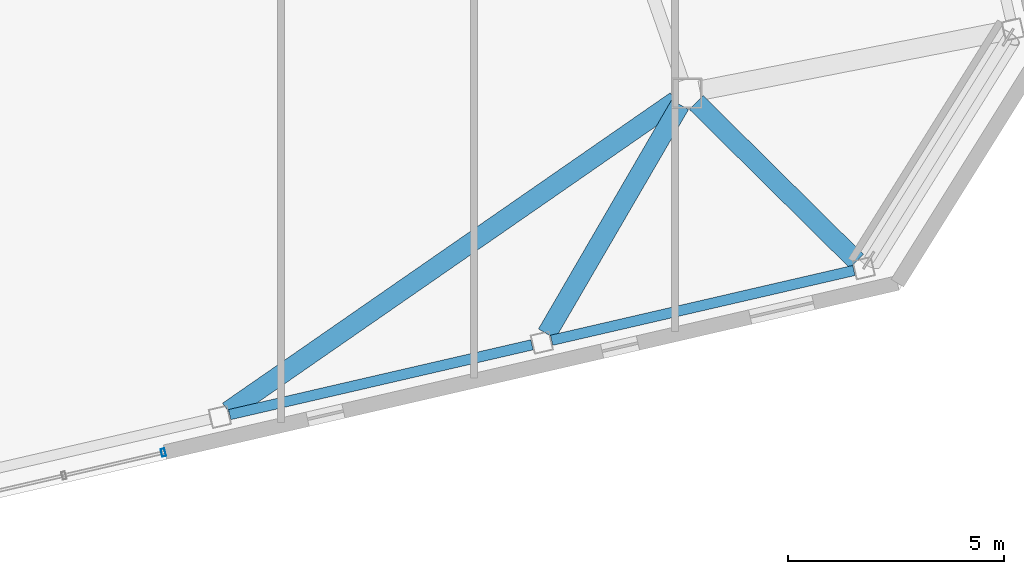
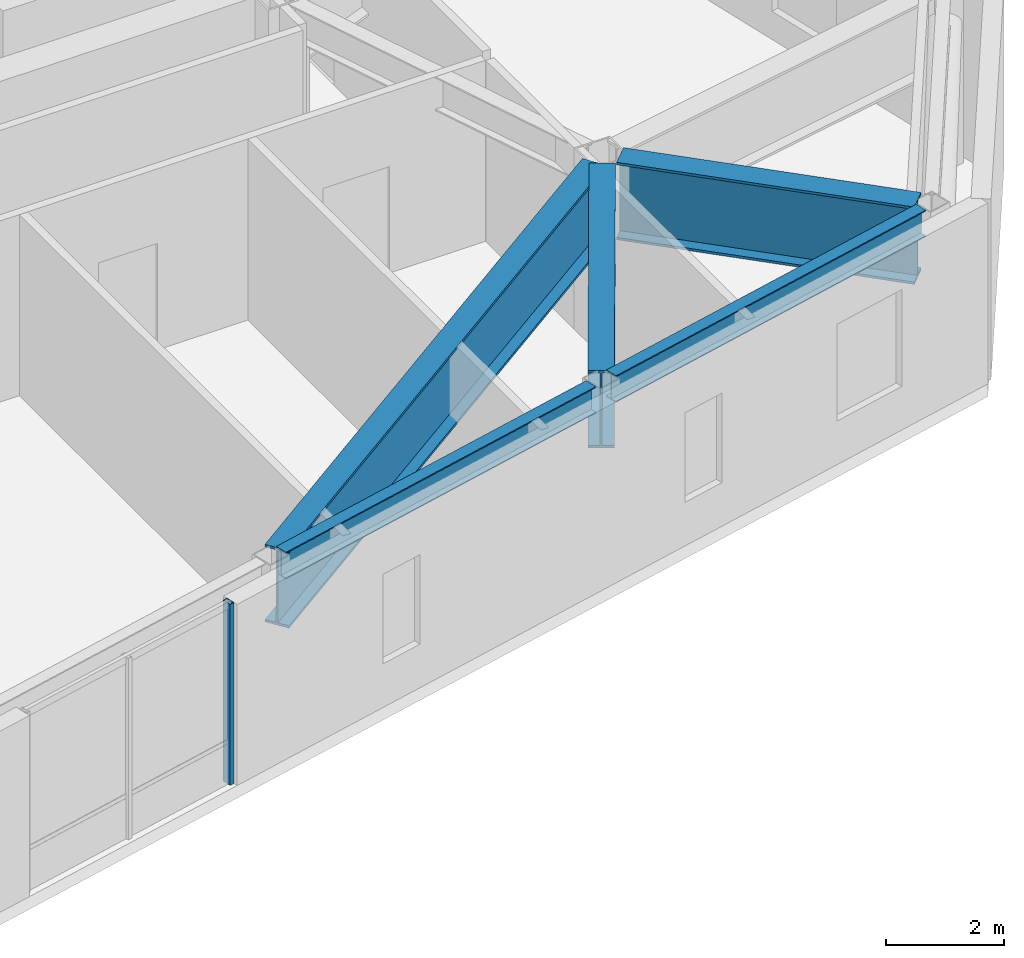
# One storey, part 10 of 23: 5 beams, 1 member, 1 element without a shape of its own.
"""IFC4 building model written with IfcOpenShell, lengths in metres."""

import ifcopenshell
import ifcopenshell.guid

model = None  # the IFC model being written
_history = None  # IfcOwnerHistory: only IFC2X3 demands one
_inside = {}  # id of a spatial element -> (the spatial element, [elements in it])
_under = {}  # id of a project, library or spatial element -> (it, [spatial elements below it])
_declared = {}  # id of a project -> (the project, [libraries it declares])
_typed = {}  # id of a type object -> (the type object, [elements of that type])
_made_of = {}  # id of a material, layer set ... -> (it, [elements and type objects made of it])


def new_model(schema):
    """Start an empty IFC model of exactly this schema.

    Asked for "IFC4X3", IfcOpenShell would pick the latest addendum, in which some entities
    have other attributes; the version numbers below select the first issue.
    IFC2X3 requires an IfcOwnerHistory on every rooted entity: one is made here for all.
    """
    global model, _history
    if schema == "IFC4X3":
        model = ifcopenshell.file(schema_version=(4, 3, 0, 0))
    else:
        model = ifcopenshell.file(schema=schema)
    _inside.clear()
    _under.clear()
    _declared.clear()
    _typed.clear()
    _made_of.clear()
    _history = None
    if model.schema == "IFC2X3":
        org = make("IfcOrganization", Name="unknown")
        user = make(
            "IfcPersonAndOrganization",
            ThePerson=make("IfcPerson", FamilyName="unknown"),
            TheOrganization=org,
        )
        app = make(
            "IfcApplication",
            ApplicationDeveloper=org,
            Version="unknown",
            ApplicationFullName="unknown",
            ApplicationIdentifier="unknown",
        )
        _history = make(
            "IfcOwnerHistory",
            OwningUser=user,
            OwningApplication=app,
            ChangeAction="ADDED",
            CreationDate=0,
        )
    return model


def make(cls, **values):
    """One entity of the class cls with the attributes given. An attribute that is None is left unset."""
    return model.create_entity(
        cls, **{name: value for name, value in values.items() if value is not None}
    )


def rooted(cls, **values):
    """An entity with a GlobalId (a new one), such as an element, a storey or a relation."""
    return make(cls, GlobalId=ifcopenshell.guid.new(), OwnerHistory=_history, **values)


def si_unit(unit_type, name, prefix=None):
    """IfcSIUnit, for example si_unit("LENGTHUNIT", "METRE", prefix="MILLI")."""
    return make("IfcSIUnit", UnitType=unit_type, Prefix=prefix, Name=name)


def assignment(units):
    """IfcUnitAssignment: the units of a project."""
    return None if units is None else make("IfcUnitAssignment", Units=units)


def point(xyz):
    """IfcCartesianPoint."""
    return None if xyz is None else make("IfcCartesianPoint", Coordinates=xyz)


def direction(xyz):
    """IfcDirection."""
    return None if xyz is None else make("IfcDirection", DirectionRatios=xyz)


def frame(location, z_axis=None, x_axis=None):
    """IfcAxis2Placement3D, a coordinate frame: its origin and axes. An axis left out is left unset."""
    return make(
        "IfcAxis2Placement3D",
        Location=point(location),
        Axis=direction(z_axis),
        RefDirection=direction(x_axis),
    )


def frame_2d(location, x_axis=None):
    """IfcAxis2Placement2D, a coordinate frame in the plane: its origin and x axis."""
    return make(
        "IfcAxis2Placement2D", Location=point(location), RefDirection=direction(x_axis)
    )


def origin():
    """The frame at (0, 0, 0) with its axes left unset."""
    return frame((0.0, 0.0, 0.0))


def origin_2d():
    """The frame at (0, 0) in the plane with its x axis left unset."""
    return frame_2d((0.0, 0.0))


def place(relative_to, where):
    """IfcLocalPlacement: puts the frame where relative to a parent placement (None: the world)."""
    return make(
        "IfcLocalPlacement", PlacementRelTo=relative_to, RelativePlacement=where
    )


def context(
    kind, dimensions, precision=None, world=None, true_north=None, identifier=None
):
    """IfcGeometricRepresentationContext, for example the 3D "Model" context."""
    return make(
        "IfcGeometricRepresentationContext",
        ContextIdentifier=identifier,
        ContextType=kind,
        CoordinateSpaceDimension=dimensions,
        Precision=precision,
        WorldCoordinateSystem=world,
        TrueNorth=true_north,
    )


def subcontext(parent, identifier, kind, view, scale=None):
    """IfcGeometricRepresentationSubContext, for example "Body" below "Model"."""
    return make(
        "IfcGeometricRepresentationSubContext",
        ContextIdentifier=identifier,
        ContextType=kind,
        ParentContext=parent,
        TargetScale=scale,
        TargetView=view,
    )


def project(units=None, contexts=None):
    """IfcProject with its units and contexts."""
    return rooted(
        "IfcProject",
        Name="project",
        RepresentationContexts=contexts,
        UnitsInContext=assignment(units),
    )


def spatial(cls, under=None, at=None, **own):
    """A site, building, storey or space (cls), placed at a placement, below another one or the project."""
    s = rooted(cls, ObjectPlacement=at, **own)
    if under is not None:
        _under.setdefault(under.id(), (under, []))[1].append(s)
    return s


def profile(cls, at=None, kind="AREA", **sizes):
    """A parametric profile (cls). Its sizes go by their IFC names, for example OverallWidth=200.0."""
    return make(cls, ProfileType=kind, Position=at, **sizes)


def hollow_rectangle(**sizes):
    """IfcRectangleHollowProfileDef."""
    return profile("IfcRectangleHollowProfileDef", **sizes)


def i_section(**sizes):
    """IfcIShapeProfileDef."""
    return profile("IfcIShapeProfileDef", **sizes)


def extrude(swept, where, along, depth):
    """IfcExtrudedAreaSolid: the profile swept, set in the frame where, extruded along a direction by depth."""
    return make(
        "IfcExtrudedAreaSolid",
        SweptArea=swept,
        Position=where,
        ExtrudedDirection=direction(along),
        Depth=depth,
    )


def shape(context_of_items, identifier, shape_type, items):
    """IfcShapeRepresentation: the items that make up one representation, for example the "Body"."""
    return make(
        "IfcShapeRepresentation",
        ContextOfItems=context_of_items,
        RepresentationIdentifier=identifier,
        RepresentationType=shape_type,
        Items=items,
    )


def material(Name=None, Category=None):
    """IfcMaterial."""
    return make("IfcMaterial", Name=Name, Category=Category)


def layer(
    of_material, thickness, ventilated=None, Name=None, Category=None, Priority=None
):
    """IfcMaterialLayer: one layer of a wall or slab, of a material (None: an air gap)."""
    return make(
        "IfcMaterialLayer",
        Material=of_material,
        LayerThickness=thickness,
        IsVentilated=ventilated,
        Name=Name,
        Category=Category,
        Priority=Priority,
    )


def layer_set(layers, Name=None):
    """IfcMaterialLayerSet."""
    return make("IfcMaterialLayerSet", MaterialLayers=layers, LayerSetName=Name)


def material_profile(
    of_material, cross_section, Name=None, Category=None, Priority=None
):
    """IfcMaterialProfile: a cross section and its material."""
    return make(
        "IfcMaterialProfile",
        Name=Name,
        Material=of_material,
        Profile=cross_section,
        Priority=Priority,
        Category=Category,
    )


def profile_set(profiles, Name=None, composite=None):
    """IfcMaterialProfileSet."""
    return make(
        "IfcMaterialProfileSet",
        Name=Name,
        MaterialProfiles=profiles,
        CompositeProfile=composite,
    )


def made_of(thing, what):
    """Note that an element or type object is made of a material, layer set ...; save() writes the relation."""
    if what is not None:
        _made_of.setdefault(what.id(), (what, []))[1].append(thing)
    return thing


def type_object(cls, material=None, **own):
    """A type object (cls), such as IfcWallType, which elements share."""
    return made_of(rooted(cls, **own), material)


def element(
    cls,
    number,
    at=None,
    inside=None,
    cuts=None,
    type_object=None,
    material=None,
    context=None,
    identifier="Body",
    shape_type=None,
    held_by="IfcProductDefinitionShape",
    body=None,
    shapes=None,
    **own,
):
    """One element of the class cls, such as IfcWall. Its Tag is "e" and its number.

    at: its placement. inside: the storey or other place that contains it. cuts: it is an
    opening in that element (IfcRelVoidsElement). A single representation is given by context,
    identifier, shape_type and body (its items); several are given by shapes. held_by: the class
    of the entity that holds the representations. save() writes the other relations.
    """
    e = rooted(cls, Tag="e%d" % number, ObjectPlacement=at, **own)
    if body is not None:
        shapes = [shape(context, identifier, shape_type, body)]
    if shapes is not None:
        e.Representation = make(held_by, Representations=shapes)
    if inside is not None:
        _inside.setdefault(inside.id(), (inside, []))[1].append(e)
    if cuts is not None:
        rooted(
            "IfcRelVoidsElement", RelatingBuildingElement=cuts, RelatedOpeningElement=e
        )
    if type_object is not None:
        _typed.setdefault(type_object.id(), (type_object, []))[1].append(e)
    return made_of(e, material)


def aggregate(whole, parts):
    """IfcRelAggregates: a whole, such as a stair, and the parts it consists of."""
    return rooted("IfcRelAggregates", RelatingObject=whole, RelatedObjects=parts)


def save(model, path):
    """Write the relations noted so far, then the file.

    IfcRelAggregates (storeys below a building ...), IfcRelContainedInSpatialStructure (elements
    in a storey), IfcRelDefinesByType, IfcRelAssociatesMaterial and IfcRelDeclares: one each for
    every whole, place, type object, material and project.
    """
    for whole, parts in _under.values():
        aggregate(whole, parts)
    for where, things in _inside.values():
        rooted(
            "IfcRelContainedInSpatialStructure",
            RelatedElements=things,
            RelatingStructure=where,
        )
    for kind, things in _typed.values():
        rooted("IfcRelDefinesByType", RelatedObjects=things, RelatingType=kind)
    for what, things in _made_of.values():
        rooted("IfcRelAssociatesMaterial", RelatedObjects=things, RelatingMaterial=what)
    for by, libraries in _declared.values():
        rooted("IfcRelDeclares", RelatingContext=by, RelatedDefinitions=libraries)
    model.write(path)


model = new_model("IFC4")

# Units and contexts
model_context = context("Model", 3, precision=1e-05, world=origin(), true_north=direction((0.0, 1.0)))
body_context = subcontext(model_context, "Body", "Model", "MODEL_VIEW")
ifc_project = project(units=[si_unit("LENGTHUNIT", "METRE"), si_unit("AREAUNIT", "SQUARE_METRE"), si_unit("VOLUMEUNIT", "CUBIC_METRE"), si_unit("PLANEANGLEUNIT", "RADIAN"), si_unit("MASSUNIT", "GRAM", prefix="KILO")], contexts=[model_context])

# Site, building, storey
site_placement = place(None, origin())
site = spatial("IfcSite", under=ifc_project, at=site_placement, CompositionType="ELEMENT")
building_placement = place(site_placement, origin())
building = spatial("IfcBuilding", under=site, at=building_placement, Name="Tavrogorsk Clinical Tower", CompositionType="ELEMENT")
storey_placement = place(building_placement, frame((0.0, 0.0, 277.0)))
storey = spatial("IfcBuildingStorey", under=building, at=storey_placement, Name="L64", CompositionType="ELEMENT", Elevation=277.0)

# Curtain wall, member
ifc_material_1 = material(Name="Anodised aluminium and triple IGU glazing", Category="aluminium")
ifc_layer = layer(ifc_material_1, 0.179931640625)
ifc_layer_set = layer_set([ifc_layer], Name="Anodised aluminium and triple IGU glazing")
curtain_wall_type = type_object("IfcCurtainWallType", Name="CW3_SouthSlot", PredefinedType="NOTDEFINED", material=ifc_layer_set)
curtain_wall_placement = place(storey_placement, origin())
curtain_wall = element("IfcCurtainWall", 1, at=curtain_wall_placement, inside=storey, type_object=curtain_wall_type, Name="L64 Curtain Wall CW-L64-S-SLOT-2", PredefinedType="NOTDEFINED")
ifc_material_2 = material(Name="Anodised aluminium alloy AW-6060", Category="aluminium")
ifc_material_profile_1 = material_profile(ifc_material_2, hollow_rectangle(XDim=0.090087890625, YDim=0.179931640625, WallThickness=0.00634765625, at=origin_2d()), Name="RHS-180x90x6.3")
ifc_profile_set_1 = profile_set([ifc_material_profile_1], Name="Anodised aluminium alloy AW-6060")
member_type = type_object("IfcMemberType", Name="CwMullion_180x90", PredefinedType="MULLION", material=ifc_profile_set_1)
member_placement = place(storey_placement, frame((12.4052734375, -21.504638671875, 0.0), z_axis=(0.0, 0.0, 1.0), x_axis=(0.974370057377, 0.224951086434, 0.0)))
member = element("IfcMember", 2, at=member_placement, type_object=member_type, Name="CW-L64-S-SLOT-2 Mullion 3", PredefinedType="MULLION", context=body_context, shape_type="SweptSolid", body=[
    extrude(hollow_rectangle(XDim=0.090087890625, YDim=0.179931640625, WallThickness=0.00634765625, at=origin_2d()), origin(), (0.0, 0.0, 1.0), 3.739990234375),
])
aggregate(curtain_wall, [member])

# Beams
ifc_material_3 = material(Name="Structural steel S390", Category="steel")
ifc_material_profile_2 = material_profile(ifc_material_3, i_section(OverallWidth=0.239990234375, OverallDepth=0.550048828125, WebThickness=0.013916015625, FlangeThickness=0.02197265625, at=origin_2d()), Name="B-550x240x14x22")
ifc_profile_set_2 = profile_set([ifc_material_profile_2], Name="Structural steel S390")
beam_type_1 = type_object("IfcBeamType", Name="SpandrelBeam_B550", PredefinedType="SPANDREL", material=ifc_profile_set_2)
for number, where, z_axis, x_axis, name in (
    (3, (13.938232421875, -20.627197265625, 3.465087890625), (0.974369378592, 0.224954026551, 0.0), (-0.224954026551, 0.974369378592, 0.0), "L64 Perimeter Spandrel S6-S7"),
    (4, (21.376953125, -18.909912109375, 3.465087890625), (0.974369378592, 0.224954026551, 0.0), (-0.224954026551, 0.974369378592, 0.0), "L64 Perimeter Spandrel S7-S8"),
):
    element("IfcBeam", number, at=place(storey_placement, frame(where, z_axis=z_axis, x_axis=x_axis)), inside=storey, type_object=beam_type_1, Name=name, PredefinedType="SPANDREL", context=body_context, shape_type="SweptSolid", body=[
        extrude(i_section(OverallWidth=0.239990234375, OverallDepth=0.550048828125, WebThickness=0.013916015625, FlangeThickness=0.02197265625, at=origin_2d()), origin(), (0.0, 0.0, 1.0), 7.16845703125),
    ])
ifc_material_4 = material(Name="Structural steel S440", Category="steel")
ifc_material_profile_3 = material_profile(ifc_material_4, i_section(OverallWidth=0.449951171875, OverallDepth=1.60009765625, WebThickness=0.031982421875, FlangeThickness=0.050048828125, at=origin_2d()), Name="DK-1600x450x32x50")
ifc_profile_set_3 = profile_set([ifc_material_profile_3], Name="Structural steel S440")
beam_type_2 = type_object("IfcBeamType", Name="TransferGirder_DK1600", PredefinedType="USERDEFINED", material=ifc_profile_set_3)
beam_1_placement = place(storey_placement, frame((24.245361328125, -13.376708984375, 2.93994140625), z_axis=(-0.821821874963, -0.56974450926, 0.0), x_axis=(0.56974450926, -0.821821874963, 0.0)))
element("IfcBeam", 5, at=beam_1_placement, inside=storey, type_object=beam_type_2, Name="L64 Radial Floor Beam S6", ObjectType="GIRDER", PredefinedType="USERDEFINED", context=body_context, shape_type="SweptSolid", body=[
    extrude(i_section(OverallWidth=0.449951171875, OverallDepth=1.60009765625, WebThickness=0.031982421875, FlangeThickness=0.050048828125, at=origin_2d()), origin(), (0.0, 0.0, 1.0), 12.5849609375),
])
beam_2_placement = place(storey_placement, frame((24.34423828125, -13.468017578125, 2.93994140625), z_axis=(-0.50260105099, -0.864518469174, 0.0), x_axis=(0.864518469174, -0.50260105099, 0.0)))
element("IfcBeam", 6, at=beam_2_placement, inside=storey, type_object=beam_type_2, Name="L64 Radial Floor Beam S7", ObjectType="GIRDER", PredefinedType="USERDEFINED", context=body_context, shape_type="SweptSolid", body=[
    extrude(i_section(OverallWidth=0.449951171875, OverallDepth=1.60009765625, WebThickness=0.031982421875, FlangeThickness=0.050048828125, at=origin_2d()), origin(), (0.0, 0.0, 1.0), 6.12255859375),
])
beam_3_placement = place(storey_placement, frame((24.720458984375, -13.41796875, 2.93994140625), z_axis=(0.710870207436, -0.703323217433, 0.0), x_axis=(0.703323217433, 0.710870207436, 0.0)))
element("IfcBeam", 7, at=beam_3_placement, inside=storey, type_object=beam_type_2, Name="L64 Radial Floor Beam S8", ObjectType="GIRDER", PredefinedType="USERDEFINED", context=body_context, shape_type="SweptSolid", body=[
    extrude(i_section(OverallWidth=0.449951171875, OverallDepth=1.60009765625, WebThickness=0.031982421875, FlangeThickness=0.050048828125, at=origin_2d()), origin(), (0.0, 0.0, 1.0), 5.208251953125),
])

save(model, "model.ifc")
